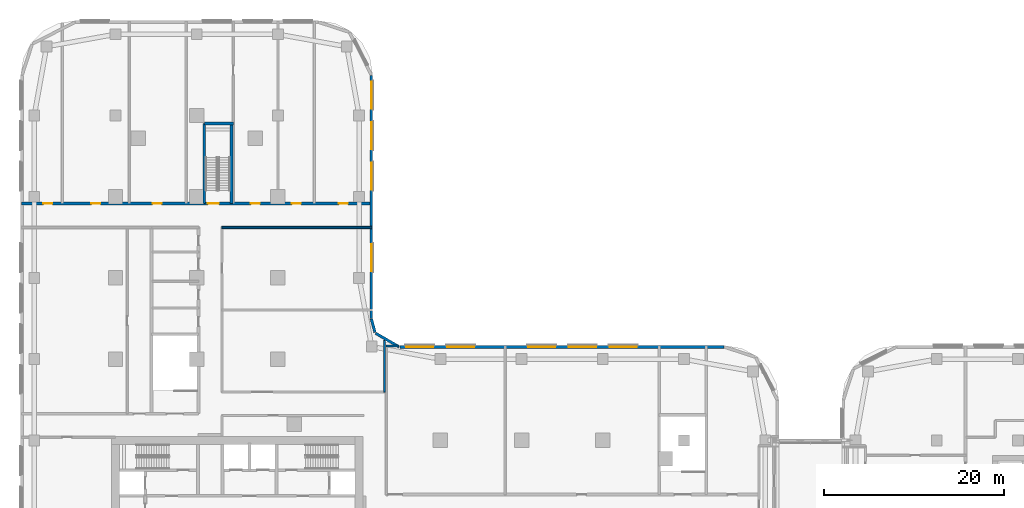
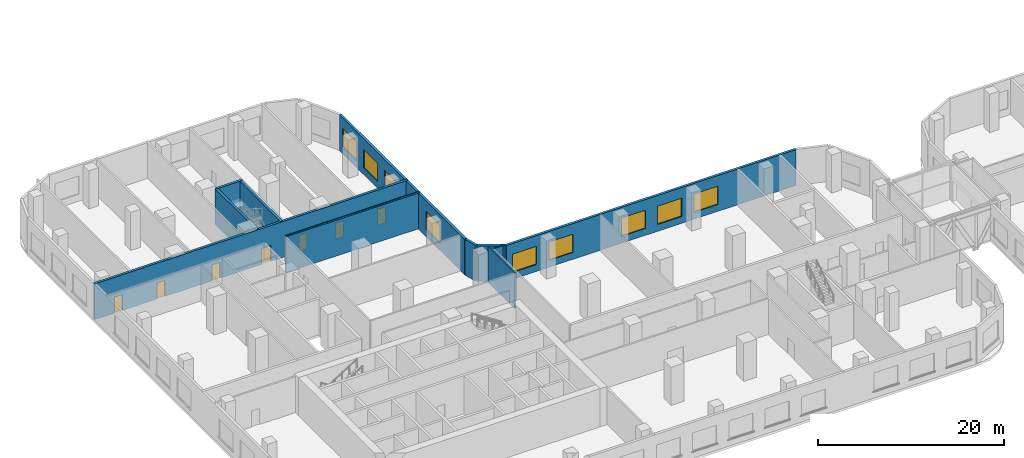
# One storey, part 10 of 33: 12 walls, 9 windows, 7 doors, 16 openings.
"""IFC4 building model written with IfcOpenShell, lengths in metres."""

from ifc_helpers import new_model, si_unit, direction, frame, frame_2d, origin, place, context, subcontext, project, spatial, rectangle, extrude, material, layer, layer_set, type_object, element, fill, save


model = new_model("IFC4")

# Units and contexts
model_context = context("Model", 3, precision=1e-05, world=origin(), true_north=direction((0.0, 1.0)))
body_context = subcontext(model_context, "Body", "Model", "MODEL_VIEW")
ifc_project = project(units=[si_unit("LENGTHUNIT", "METRE"), si_unit("AREAUNIT", "SQUARE_METRE"), si_unit("VOLUMEUNIT", "CUBIC_METRE"), si_unit("PLANEANGLEUNIT", "RADIAN"), si_unit("MASSUNIT", "GRAM", prefix="KILO")], contexts=[model_context])

# Site, building, storey
site_placement = place(None, origin())
site = spatial("IfcSite", under=ifc_project, at=site_placement, CompositionType="ELEMENT")
building_placement = place(site_placement, origin())
building = spatial("IfcBuilding", under=site, at=building_placement, Name="Ogive Portal Towers", CompositionType="ELEMENT")
storey_placement = place(building_placement, frame((0.0, 0.0, 28.5)))
storey = spatial("IfcBuildingStorey", under=building, at=storey_placement, Name="L05", CompositionType="ELEMENT", Elevation=28.5)

# Wall, openings, windows
ifc_material_1 = material(Name="Limestone cladding on lightweight block wall", Category="masonry")
ifc_layer_1 = layer(ifc_material_1, 0.300048828125)
ifc_layer_set_1 = layer_set([ifc_layer_1], Name="EXTERNAL WALL 300 STONE")
wall_type_1 = type_object("IfcWallType", Name="EXTERNAL WALL 300 STONE", PredefinedType="SOLIDWALL", material=ifc_layer_set_1)
wall_1_placement = place(storey_placement, frame((98.952392578125, 49.85009765625, 0.0), z_axis=(0.0, 0.0, 1.0), x_axis=(-1.0, 0.0, 0.0)))
wall_1 = element("IfcWall", 1, at=wall_1_placement, inside=storey, type_object=wall_type_1, Name="A:L05:f08:w0", PredefinedType="SOLIDWALL", context=body_context, shape_type="SweptSolid", body=[
    extrude(rectangle(XDim=35.952392578125, YDim=0.300048828125, at=frame_2d((17.97607421875, 0.0))), origin(), (0.0, 0.0, 1.0), 4.699951171875),
])
opening_1_placement = place(wall_1_placement, frame((9.702392578125, 0.0, 0.89990234375)))
opening_1 = element("IfcOpeningElement", 2, at=opening_1_placement, cuts=wall_1, Name="Opening WN3", PredefinedType="OPENING", context=body_context, shape_type="SweptSolid", body=[
    extrude(rectangle(XDim=3.0, YDim=2.39990234375, at=frame_2d((1.5, 1.199951171875))), frame((0.0, 0.16015625, 0.0), z_axis=(0.0, -1.0, 0.0), x_axis=(1.0, 0.0, 0.0)), (0.0, 0.0, 1.0), 0.320068359375),
])
opening_2_placement = place(wall_1_placement, frame((14.202392578125, 0.0, 0.89990234375)))
opening_2 = element("IfcOpeningElement", 3, at=opening_2_placement, cuts=wall_1, Name="Opening WN3", PredefinedType="OPENING", context=body_context, shape_type="SweptSolid", body=[
    extrude(rectangle(XDim=3.0, YDim=2.39990234375, at=frame_2d((1.5, 1.199951171875))), frame((0.0, 0.16015625, 0.0), z_axis=(0.0, -1.0, 0.0), x_axis=(1.0, 0.0, 0.0)), (0.0, 0.0, 1.0), 0.320068359375),
])
opening_3_placement = place(wall_1_placement, frame((18.702392578125, 0.0, 0.89990234375)))
opening_3 = element("IfcOpeningElement", 4, at=opening_3_placement, cuts=wall_1, Name="Opening WN3", PredefinedType="OPENING", context=body_context, shape_type="SweptSolid", body=[
    extrude(rectangle(XDim=3.0, YDim=2.39990234375, at=frame_2d((1.5, 1.199951171875))), frame((0.0, 0.16015625, 0.0), z_axis=(0.0, -1.0, 0.0), x_axis=(1.0, 0.0, 0.0)), (0.0, 0.0, 1.0), 0.320068359375),
])
opening_4_placement = place(wall_1_placement, frame((27.702392578125, 0.0, 0.89990234375)))
opening_4 = element("IfcOpeningElement", 5, at=opening_4_placement, cuts=wall_1, Name="Opening WN3", PredefinedType="OPENING", context=body_context, shape_type="SweptSolid", body=[
    extrude(rectangle(XDim=3.0, YDim=2.39990234375, at=frame_2d((1.5, 1.199951171875))), frame((0.0, 0.16015625, 0.0), z_axis=(0.0, -1.0, 0.0), x_axis=(1.0, 0.0, 0.0)), (0.0, 0.0, 1.0), 0.320068359375),
])
opening_5_placement = place(wall_1_placement, frame((32.226318359375, 0.0, 0.89990234375)))
opening_5 = element("IfcOpeningElement", 6, at=opening_5_placement, cuts=wall_1, Name="Opening WN3", PredefinedType="OPENING", context=body_context, shape_type="SweptSolid", body=[
    extrude(rectangle(XDim=3.0, YDim=2.39990234375, at=frame_2d((1.5, 1.199951171875))), frame((0.0, 0.16015625, 0.0), z_axis=(0.0, -1.0, 0.0), x_axis=(1.0, 0.0, 0.0)), (0.0, 0.0, 1.0), 0.320068359375),
])
ifc_material_2 = material(Name="Glass, clear low-iron insulated glazing", Category="glass")
window_type = type_object("IfcWindowType", Name="WINDOW PODIUM 3000x2400", PartitioningType="SINGLE_PANEL", PredefinedType="WINDOW", material=ifc_material_2)
window_1_placement = place(opening_1_placement, origin())
window_1 = element("IfcWindow", 7, at=window_1_placement, inside=storey, type_object=window_type, Name="A:L05:f08:w0:o1b", OverallHeight=2.39990234375, OverallWidth=3.0, PartitioningType="SINGLE_PANEL", PredefinedType="WINDOW", context=body_context, shape_type="SweptSolid", body=[
    extrude(rectangle(XDim=3.0, YDim=2.39990234375, at=frame_2d((1.5, 1.199951171875))), frame((0.0, 0.030029296875, 0.0), z_axis=(0.0, -1.0, 0.0), x_axis=(1.0, 0.0, 0.0)), (0.0, 0.0, 1.0), 0.06005859375),
])
fill(opening_1, window_1)
window_2_placement = place(opening_2_placement, origin())
window_2 = element("IfcWindow", 8, at=window_2_placement, inside=storey, type_object=window_type, Name="A:L05:f08:w0:o2a", OverallHeight=2.39990234375, OverallWidth=3.0, PartitioningType="SINGLE_PANEL", PredefinedType="WINDOW", context=body_context, shape_type="SweptSolid", body=[
    extrude(rectangle(XDim=3.0, YDim=2.39990234375, at=frame_2d((1.5, 1.199951171875))), frame((0.0, 0.030029296875, 0.0), z_axis=(0.0, -1.0, 0.0), x_axis=(1.0, 0.0, 0.0)), (0.0, 0.0, 1.0), 0.06005859375),
])
fill(opening_2, window_2)
window_3_placement = place(opening_3_placement, origin())
window_3 = element("IfcWindow", 9, at=window_3_placement, inside=storey, type_object=window_type, Name="A:L05:f08:w0:o2b", OverallHeight=2.39990234375, OverallWidth=3.0, PartitioningType="SINGLE_PANEL", PredefinedType="WINDOW", context=body_context, shape_type="SweptSolid", body=[
    extrude(rectangle(XDim=3.0, YDim=2.39990234375, at=frame_2d((1.5, 1.199951171875))), frame((0.0, 0.030029296875, 0.0), z_axis=(0.0, -1.0, 0.0), x_axis=(1.0, 0.0, 0.0)), (0.0, 0.0, 1.0), 0.06005859375),
])
fill(opening_3, window_3)
window_4_placement = place(opening_4_placement, origin())
window_4 = element("IfcWindow", 10, at=window_4_placement, inside=storey, type_object=window_type, Name="A:L05:f08:w0:o3b", OverallHeight=2.39990234375, OverallWidth=3.0, PartitioningType="SINGLE_PANEL", PredefinedType="WINDOW", context=body_context, shape_type="SweptSolid", body=[
    extrude(rectangle(XDim=3.0, YDim=2.39990234375, at=frame_2d((1.5, 1.199951171875))), frame((0.0, 0.030029296875, 0.0), z_axis=(0.0, -1.0, 0.0), x_axis=(1.0, 0.0, 0.0)), (0.0, 0.0, 1.0), 0.06005859375),
])
fill(opening_4, window_4)
window_5_placement = place(opening_5_placement, origin())
window_5 = element("IfcWindow", 11, at=window_5_placement, inside=storey, type_object=window_type, Name="A:L05:f08:w0:o4", OverallHeight=2.39990234375, OverallWidth=3.0, PartitioningType="SINGLE_PANEL", PredefinedType="WINDOW", context=body_context, shape_type="SweptSolid", body=[
    extrude(rectangle(XDim=3.0, YDim=2.39990234375, at=frame_2d((1.5, 1.199951171875))), frame((0.0, 0.030029296875, 0.0), z_axis=(0.0, -1.0, 0.0), x_axis=(1.0, 0.0, 0.0)), (0.0, 0.0, 1.0), 0.06005859375),
])
fill(opening_5, window_5)

# Walls
wall_2_placement = place(storey_placement, frame((62.925048828125, 49.8701171875, 0.0), z_axis=(0.0, 0.0, 1.0), x_axis=(-0.866031096941, 0.499990139034, 0.0)))
element("IfcWall", 12, at=wall_2_placement, inside=storey, type_object=wall_type_1, Name="A:L05:f09:w0", PredefinedType="SOLIDWALL", context=body_context, shape_type="SweptSolid", body=[
    extrude(rectangle(XDim=3.0, YDim=0.300048828125, at=frame_2d((1.5, 0.0))), origin(), (0.0, 0.0, 1.0), 4.699951171875),
])
wall_3_placement = place(storey_placement, frame((60.257080078125, 51.461181640625, 0.0), z_axis=(0.0, 0.0, 1.0), x_axis=(-0.258777996848, 0.965936824201, 0.0)))
element("IfcWall", 13, at=wall_3_placement, inside=storey, type_object=wall_type_1, Name="A:L05:f10:w0", PredefinedType="SOLIDWALL", context=body_context, shape_type="SweptSolid", body=[
    extrude(rectangle(XDim=1.552978515625, YDim=0.300048828125, at=frame_2d((0.7763671875, 0.0))), origin(), (0.0, 0.0, 1.0), 4.699951171875),
])

# Wall, openings, windows
wall_4_placement = place(storey_placement, frame((59.85009765625, 53.0, 0.0), z_axis=(0.0, 0.0, 1.0), x_axis=(0.0, 1.0, 0.0)))
wall_4 = element("IfcWall", 14, at=wall_4_placement, inside=storey, type_object=wall_type_1, Name="A:L05:f11:w0", PredefinedType="SOLIDWALL", context=body_context, shape_type="SweptSolid", body=[
    extrude(rectangle(XDim=26.927978515625, YDim=0.300048828125, at=frame_2d((13.4638671875, 0.0))), origin(), (0.0, 0.0, 1.0), 4.699951171875),
])
opening_6_placement = place(wall_4_placement, frame((5.25, 0.0, 0.89990234375)))
opening_6 = element("IfcOpeningElement", 15, at=opening_6_placement, cuts=wall_4, Name="Opening WN3", PredefinedType="OPENING", context=body_context, shape_type="SweptSolid", body=[
    extrude(rectangle(XDim=3.0, YDim=2.39990234375, at=frame_2d((1.5, 1.199951171875))), frame((0.0, 0.16015625, 0.0), z_axis=(0.0, -1.0, 0.0), x_axis=(1.0, 0.0, 0.0)), (0.0, 0.0, 1.0), 0.320068359375),
])
opening_7_placement = place(wall_4_placement, frame((14.25, 0.0, 0.89990234375)))
opening_7 = element("IfcOpeningElement", 16, at=opening_7_placement, cuts=wall_4, Name="Opening WN3", PredefinedType="OPENING", context=body_context, shape_type="SweptSolid", body=[
    extrude(rectangle(XDim=3.0, YDim=2.39990234375, at=frame_2d((1.5, 1.199951171875))), frame((0.0, 0.16015625, 0.0), z_axis=(0.0, -1.0, 0.0), x_axis=(1.0, 0.0, 0.0)), (0.0, 0.0, 1.0), 0.320068359375),
])
opening_8_placement = place(wall_4_placement, frame((18.75, 0.0, 0.89990234375)))
opening_8 = element("IfcOpeningElement", 17, at=opening_8_placement, cuts=wall_4, Name="Opening WN3", PredefinedType="OPENING", context=body_context, shape_type="SweptSolid", body=[
    extrude(rectangle(XDim=3.0, YDim=2.39990234375, at=frame_2d((1.5, 1.199951171875))), frame((0.0, 0.16015625, 0.0), z_axis=(0.0, -1.0, 0.0), x_axis=(1.0, 0.0, 0.0)), (0.0, 0.0, 1.0), 0.320068359375),
])
opening_9_placement = place(wall_4_placement, frame((23.25, 0.0, 0.89990234375)))
opening_9 = element("IfcOpeningElement", 18, at=opening_9_placement, cuts=wall_4, Name="Opening WN3", PredefinedType="OPENING", context=body_context, shape_type="SweptSolid", body=[
    extrude(rectangle(XDim=3.0, YDim=2.39990234375, at=frame_2d((1.5, 1.199951171875))), frame((0.0, 0.16015625, 0.0), z_axis=(0.0, -1.0, 0.0), x_axis=(1.0, 0.0, 0.0)), (0.0, 0.0, 1.0), 0.320068359375),
])
window_6_placement = place(opening_6_placement, origin())
window_6 = element("IfcWindow", 19, at=window_6_placement, inside=storey, type_object=window_type, Name="A:L05:f11:w0:o1a", OverallHeight=2.39990234375, OverallWidth=3.0, PartitioningType="SINGLE_PANEL", PredefinedType="WINDOW", context=body_context, shape_type="SweptSolid", body=[
    extrude(rectangle(XDim=3.0, YDim=2.39990234375, at=frame_2d((1.5, 1.199951171875))), frame((0.0, 0.030029296875, 0.0), z_axis=(0.0, -1.0, 0.0), x_axis=(1.0, 0.0, 0.0)), (0.0, 0.0, 1.0), 0.06005859375),
])
fill(opening_6, window_6)
window_7_placement = place(opening_7_placement, origin())
window_7 = element("IfcWindow", 20, at=window_7_placement, inside=storey, type_object=window_type, Name="A:L05:f11:w0:o2a", OverallHeight=2.39990234375, OverallWidth=3.0, PartitioningType="SINGLE_PANEL", PredefinedType="WINDOW", context=body_context, shape_type="SweptSolid", body=[
    extrude(rectangle(XDim=3.0, YDim=2.39990234375, at=frame_2d((1.5, 1.199951171875))), frame((0.0, 0.030029296875, 0.0), z_axis=(0.0, -1.0, 0.0), x_axis=(1.0, 0.0, 0.0)), (0.0, 0.0, 1.0), 0.06005859375),
])
fill(opening_7, window_7)
window_8_placement = place(opening_8_placement, origin())
window_8 = element("IfcWindow", 21, at=window_8_placement, inside=storey, type_object=window_type, Name="A:L05:f11:w0:o2b", OverallHeight=2.39990234375, OverallWidth=3.0, PartitioningType="SINGLE_PANEL", PredefinedType="WINDOW", context=body_context, shape_type="SweptSolid", body=[
    extrude(rectangle(XDim=3.0, YDim=2.39990234375, at=frame_2d((1.5, 1.199951171875))), frame((0.0, 0.030029296875, 0.0), z_axis=(0.0, -1.0, 0.0), x_axis=(1.0, 0.0, 0.0)), (0.0, 0.0, 1.0), 0.06005859375),
])
fill(opening_8, window_8)
window_9_placement = place(opening_9_placement, origin())
window_9 = element("IfcWindow", 22, at=window_9_placement, inside=storey, type_object=window_type, Name="A:L05:f11:w0:o3", OverallHeight=2.39990234375, OverallWidth=3.0, PartitioningType="SINGLE_PANEL", PredefinedType="WINDOW", context=body_context, shape_type="SweptSolid", body=[
    extrude(rectangle(XDim=3.0, YDim=2.39990234375, at=frame_2d((1.5, 1.199951171875))), frame((0.0, 0.030029296875, 0.0), z_axis=(0.0, -1.0, 0.0), x_axis=(1.0, 0.0, 0.0)), (0.0, 0.0, 1.0), 0.06005859375),
])
fill(opening_9, window_9)

# Wall, openings, doors
ifc_material_3 = material(Name="Concrete C50/60", Category="concrete")
ifc_layer_2 = layer(ifc_material_3, 0.300048828125)
ifc_layer_set_2 = layer_set([ifc_layer_2], Name="STAIR WALL 300 C50")
wall_type_2 = type_object("IfcWallType", Name="STAIR WALL 300 C50", PredefinedType="SHEAR", material=ifc_layer_set_2)
wall_5_placement = place(storey_placement, frame((21.070068359375, 65.75, 0.0), z_axis=(0.0, 0.0, 1.0), x_axis=(1.0, 0.0, 0.0)))
wall_5 = element("IfcWall", 23, at=wall_5_placement, inside=storey, type_object=wall_type_2, Name="Stair wall ST-A3 L05", PredefinedType="SHEAR", context=body_context, shape_type="SweptSolid", body=[
    extrude(rectangle(XDim=38.85986328125, YDim=0.300048828125, at=frame_2d((19.429931640625, 0.0))), origin(), (0.0, 0.0, 1.0), 4.699951171875),
])
opening_10_placement = place(wall_5_placement, frame((20.679931640625, 0.0, 0.0)))
opening_10 = element("IfcOpeningElement", 24, at=opening_10_placement, cuts=wall_5, Name="Opening P05-001", PredefinedType="OPENING", context=body_context, shape_type="SweptSolid", body=[
    extrude(rectangle(XDim=1.199951171875, YDim=2.10009765625, at=frame_2d((0.60009765625, 1.050048828125))), frame((0.0, 0.16015625, 0.0), z_axis=(0.0, -1.0, 0.0), x_axis=(1.0, 0.0, 0.0)), (0.0, 0.0, 1.0), 0.320068359375),
])
opening_11_placement = place(wall_5_placement, frame((25.430908203125, 0.0, 0.0)))
opening_11 = element("IfcOpeningElement", 25, at=opening_11_placement, cuts=wall_5, Name="Opening P05-008", PredefinedType="OPENING", context=body_context, shape_type="SweptSolid", body=[
    extrude(rectangle(XDim=1.0, YDim=2.10009765625, at=frame_2d((0.5, 1.050048828125))), frame((0.0, 0.16015625, 0.0), z_axis=(0.0, -1.0, 0.0), x_axis=(1.0, 0.0, 0.0)), (0.0, 0.0, 1.0), 0.320068359375),
])
opening_12_placement = place(wall_5_placement, frame((2.429931640625, 0.0, 0.0)))
opening_12 = element("IfcOpeningElement", 26, at=opening_12_placement, cuts=wall_5, Name="Opening P05-026", PredefinedType="OPENING", context=body_context, shape_type="SweptSolid", body=[
    extrude(rectangle(XDim=1.0, YDim=2.10009765625, at=frame_2d((0.5, 1.050048828125))), frame((0.0, 0.16015625, 0.0), z_axis=(0.0, -1.0, 0.0), x_axis=(1.0, 0.0, 0.0)), (0.0, 0.0, 1.0), 0.320068359375),
])
opening_13_placement = place(wall_5_placement, frame((7.74609375, 0.0, 0.0)))
opening_13 = element("IfcOpeningElement", 27, at=opening_13_placement, cuts=wall_5, Name="Opening P05-027", PredefinedType="OPENING", context=body_context, shape_type="SweptSolid", body=[
    extrude(rectangle(XDim=1.0, YDim=2.10009765625, at=frame_2d((0.5, 1.050048828125))), frame((0.0, 0.16015625, 0.0), z_axis=(0.0, -1.0, 0.0), x_axis=(1.0, 0.0, 0.0)), (0.0, 0.0, 1.0), 0.320068359375),
])
opening_14_placement = place(wall_5_placement, frame((14.549072265625, 0.0, 0.0)))
opening_14 = element("IfcOpeningElement", 28, at=opening_14_placement, cuts=wall_5, Name="Opening P05-028", PredefinedType="OPENING", context=body_context, shape_type="SweptSolid", body=[
    extrude(rectangle(XDim=1.0, YDim=2.10009765625, at=frame_2d((0.5, 1.050048828125))), frame((0.0, 0.16015625, 0.0), z_axis=(0.0, -1.0, 0.0), x_axis=(1.0, 0.0, 0.0)), (0.0, 0.0, 1.0), 0.320068359375),
])
opening_15_placement = place(wall_5_placement, frame((29.965087890625, 0.0, 0.0)))
opening_15 = element("IfcOpeningElement", 29, at=opening_15_placement, cuts=wall_5, Name="Opening P05-029", PredefinedType="OPENING", context=body_context, shape_type="SweptSolid", body=[
    extrude(rectangle(XDim=1.0, YDim=2.10009765625, at=frame_2d((0.5, 1.050048828125))), frame((0.0, 0.16015625, 0.0), z_axis=(0.0, -1.0, 0.0), x_axis=(1.0, 0.0, 0.0)), (0.0, 0.0, 1.0), 0.320068359375),
])
opening_16_placement = place(wall_5_placement, frame((35.175048828125, 0.0, 0.0)))
opening_16 = element("IfcOpeningElement", 30, at=opening_16_placement, cuts=wall_5, Name="Opening P05-030", PredefinedType="OPENING", context=body_context, shape_type="SweptSolid", body=[
    extrude(rectangle(XDim=1.0, YDim=2.10009765625, at=frame_2d((0.5, 1.050048828125))), frame((0.0, 0.16015625, 0.0), z_axis=(0.0, -1.0, 0.0), x_axis=(1.0, 0.0, 0.0)), (0.0, 0.0, 1.0), 0.320068359375),
])
ifc_material_4 = material(Name="Steel fire door", Category="steel")
door_type_1 = type_object("IfcDoorType", Name="DT-SWING-1000x2100-FD90S", OperationType="SINGLE_SWING_LEFT", PredefinedType="DOOR", material=ifc_material_4)
door_1_placement = place(opening_11_placement, origin())
door_1 = element("IfcDoor", 31, at=door_1_placement, inside=storey, type_object=door_type_1, Name="Door P05-008", OperationType="SINGLE_SWING_RIGHT", OverallHeight=2.10009765625, OverallWidth=1.0, PredefinedType="DOOR", context=body_context, shape_type="SweptSolid", body=[
    extrude(rectangle(XDim=1.0, YDim=2.10009765625, at=frame_2d((0.5, 1.050048828125))), frame((0.0, 0.02490234375, 0.0), z_axis=(0.0, -1.0, 0.0), x_axis=(1.0, 0.0, 0.0)), (0.0, 0.0, 1.0), 0.050048828125),
])
fill(opening_11, door_1)
door_2_placement = place(opening_12_placement, origin())
door_2 = element("IfcDoor", 32, at=door_2_placement, inside=storey, type_object=door_type_1, Name="Door P05-026", OperationType="SINGLE_SWING_RIGHT", OverallHeight=2.10009765625, OverallWidth=1.0, PredefinedType="DOOR", context=body_context, shape_type="SweptSolid", body=[
    extrude(rectangle(XDim=1.0, YDim=2.10009765625, at=frame_2d((0.5, 1.050048828125))), frame((0.0, 0.02490234375, 0.0), z_axis=(0.0, -1.0, 0.0), x_axis=(1.0, 0.0, 0.0)), (0.0, 0.0, 1.0), 0.050048828125),
])
fill(opening_12, door_2)
door_3_placement = place(opening_13_placement, origin())
door_3 = element("IfcDoor", 33, at=door_3_placement, inside=storey, type_object=door_type_1, Name="Door P05-027", OperationType="SINGLE_SWING_LEFT", OverallHeight=2.10009765625, OverallWidth=1.0, PredefinedType="DOOR", context=body_context, shape_type="SweptSolid", body=[
    extrude(rectangle(XDim=1.0, YDim=2.10009765625, at=frame_2d((0.5, 1.050048828125))), frame((0.0, 0.02490234375, 0.0), z_axis=(0.0, -1.0, 0.0), x_axis=(1.0, 0.0, 0.0)), (0.0, 0.0, 1.0), 0.050048828125),
])
fill(opening_13, door_3)
door_4_placement = place(opening_14_placement, origin())
door_4 = element("IfcDoor", 34, at=door_4_placement, inside=storey, type_object=door_type_1, Name="Door P05-028", OperationType="SINGLE_SWING_RIGHT", OverallHeight=2.10009765625, OverallWidth=1.0, PredefinedType="DOOR", context=body_context, shape_type="SweptSolid", body=[
    extrude(rectangle(XDim=1.0, YDim=2.10009765625, at=frame_2d((0.5, 1.050048828125))), frame((0.0, 0.02490234375, 0.0), z_axis=(0.0, -1.0, 0.0), x_axis=(1.0, 0.0, 0.0)), (0.0, 0.0, 1.0), 0.050048828125),
])
fill(opening_14, door_4)
door_5_placement = place(opening_15_placement, origin())
door_5 = element("IfcDoor", 35, at=door_5_placement, inside=storey, type_object=door_type_1, Name="Door P05-029", OperationType="SINGLE_SWING_LEFT", OverallHeight=2.10009765625, OverallWidth=1.0, PredefinedType="DOOR", context=body_context, shape_type="SweptSolid", body=[
    extrude(rectangle(XDim=1.0, YDim=2.10009765625, at=frame_2d((0.5, 1.050048828125))), frame((0.0, 0.02490234375, 0.0), z_axis=(0.0, -1.0, 0.0), x_axis=(1.0, 0.0, 0.0)), (0.0, 0.0, 1.0), 0.050048828125),
])
fill(opening_15, door_5)
door_6_placement = place(opening_16_placement, origin())
door_6 = element("IfcDoor", 36, at=door_6_placement, inside=storey, type_object=door_type_1, Name="Door P05-030", OperationType="SINGLE_SWING_RIGHT", OverallHeight=2.10009765625, OverallWidth=1.0, PredefinedType="DOOR", context=body_context, shape_type="SweptSolid", body=[
    extrude(rectangle(XDim=1.0, YDim=2.10009765625, at=frame_2d((0.5, 1.050048828125))), frame((0.0, 0.02490234375, 0.0), z_axis=(0.0, -1.0, 0.0), x_axis=(1.0, 0.0, 0.0)), (0.0, 0.0, 1.0), 0.050048828125),
])
fill(opening_16, door_6)
door_type_2 = type_object("IfcDoorType", Name="DT-SWING-1200x2100-FD90S", OperationType="SINGLE_SWING_LEFT", PredefinedType="DOOR", material=ifc_material_4)
door_7_placement = place(opening_10_placement, origin())
door_7 = element("IfcDoor", 37, at=door_7_placement, inside=storey, type_object=door_type_2, Name="Door P05-001", OperationType="SINGLE_SWING_LEFT", OverallHeight=2.10009765625, OverallWidth=1.199951171875, PredefinedType="DOOR", context=body_context, shape_type="SweptSolid", body=[
    extrude(rectangle(XDim=1.199951171875, YDim=2.10009765625, at=frame_2d((0.60009765625, 1.050048828125))), frame((0.0, 0.02490234375, 0.0), z_axis=(0.0, -1.0, 0.0), x_axis=(1.0, 0.0, 0.0)), (0.0, 0.0, 1.0), 0.050048828125),
])
fill(opening_10, door_7)

# Walls
wall_6_placement = place(storey_placement, frame((41.35009765625, 74.60009765625, 0.0), z_axis=(0.0, 0.0, 1.0), x_axis=(1.0, 0.0, 0.0)))
element("IfcWall", 38, at=wall_6_placement, inside=storey, type_object=wall_type_2, Name="Stair wall ST-A3 L05", PredefinedType="SHEAR", context=body_context, shape_type="SweptSolid", body=[
    extrude(rectangle(XDim=3.199951171875, YDim=0.300048828125, at=frame_2d((1.60009765625, 0.0))), origin(), (0.0, 0.0, 1.0), 4.699951171875),
])
for number, where, z_axis, x_axis, name in (
    (39, (41.35009765625, 65.75, 0.0), (0.0, 0.0, 1.0), (0.0, 1.0, 0.0), "Stair wall ST-A3 L05"),
    (40, (44.35009765625, 65.75, 0.0), (0.0, 0.0, 1.0), (0.0, 1.0, 0.0), "Stair wall ST-A3 L05"),
):
    element("IfcWall", number, at=place(storey_placement, frame(where, z_axis=z_axis, x_axis=x_axis)), inside=storey, type_object=wall_type_2, Name=name, PredefinedType="SHEAR", context=body_context, shape_type="SweptSolid", body=[
        extrude(rectangle(XDim=8.85009765625, YDim=0.300048828125, at=frame_2d((4.425048828125, 0.0))), origin(), (0.0, 0.0, 1.0), 4.699951171875),
    ])
ifc_material_5 = material(Name="Gypsum board partition on steel studs", Category="steel")
ifc_layer_3 = layer(ifc_material_5, 0.199951171875)
ifc_layer_set_3 = layer_set([ifc_layer_3], Name="WT-PART-200-EI 60")
wall_type_3 = type_object("IfcWallType", Name="WT-PART-200-EI 60", PredefinedType="PARTITIONING", material=ifc_layer_set_3)
wall_7_placement = place(storey_placement, frame((61.5, 49.949951171875, 0.0), z_axis=(0.0, 0.0, 1.0), x_axis=(1.0, 0.0, 0.0)))
element("IfcWall", 41, at=wall_7_placement, inside=storey, type_object=wall_type_3, Name="Wall L05:w041", PredefinedType="PARTITIONING", context=body_context, shape_type="SweptSolid", body=[
    extrude(rectangle(XDim=1.416015625, YDim=0.199951171875, at=frame_2d((0.7080078125, 0.0))), origin(), (0.0, 0.0, 1.0), 4.699951171875),
])
for number, where, z_axis, x_axis, name in (
    (42, (43.300048828125, 63.050048828125, 0.0), (0.0, 0.0, 1.0), (1.0, 0.0, 0.0), "Wall L05:w049"),
    (43, (43.300048828125, 63.14990234375, 0.0), (0.0, 0.0, 1.0), (1.0, 0.0, 0.0), "Wall L05:w051"),
):
    element("IfcWall", number, at=place(storey_placement, frame(where, z_axis=z_axis, x_axis=x_axis)), inside=storey, type_object=wall_type_3, Name=name, PredefinedType="PARTITIONING", context=body_context, shape_type="SweptSolid", body=[
        extrude(rectangle(XDim=16.6298828125, YDim=0.199951171875, at=frame_2d((8.31494140625, 0.0))), origin(), (0.0, 0.0, 1.0), 4.699951171875),
    ])
wall_8_placement = place(storey_placement, frame((61.300048828125, 44.85009765625, 0.0), z_axis=(0.0, 0.0, 1.0), x_axis=(0.0, 1.0, 0.0)))
element("IfcWall", 44, at=wall_8_placement, inside=storey, type_object=wall_type_3, Name="Wall L05:w094", PredefinedType="PARTITIONING", context=body_context, shape_type="SweptSolid", body=[
    extrude(rectangle(XDim=5.741943359375, YDim=0.199951171875, at=frame_2d((2.87109375, 0.0))), origin(), (0.0, 0.0, 1.0), 4.699951171875),
])

save(model, "model.ifc")
